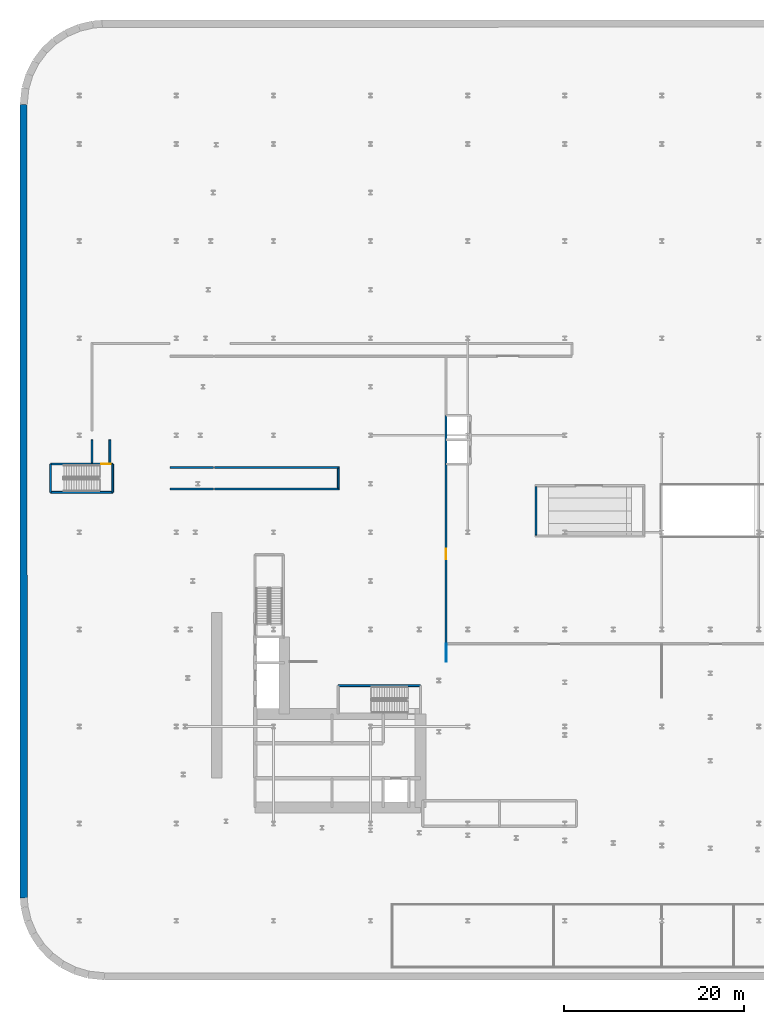
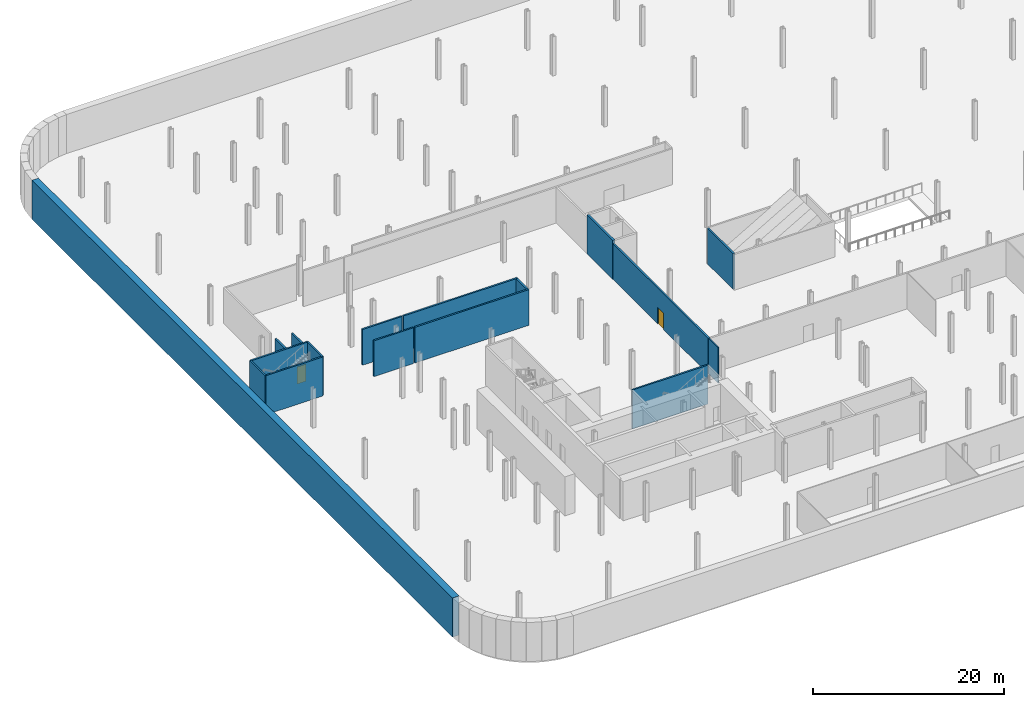
# One storey, part 10 of 19: 17 walls, 2 doors, 2 openings.
"""IFC4 building model written with IfcOpenShell, lengths in metres."""

from ifc_helpers import new_model, si_unit, direction, frame, frame_2d, origin, place, context, subcontext, project, spatial, rectangle, extrude, source, transform, mapped, material, layer, layer_set, type_object, element, fill, save


model = new_model("IFC4")

# Units and contexts
model_context = context("Model", 3, precision=1e-05, world=origin(), true_north=direction((0.0, 1.0)))
body_context = subcontext(model_context, "Body", "Model", "MODEL_VIEW")
ifc_project = project(units=[si_unit("LENGTHUNIT", "METRE"), si_unit("AREAUNIT", "SQUARE_METRE"), si_unit("VOLUMEUNIT", "CUBIC_METRE"), si_unit("PLANEANGLEUNIT", "RADIAN"), si_unit("MASSUNIT", "GRAM", prefix="KILO")], contexts=[model_context])

# Site, building, storey
site_placement = place(None, origin())
site = spatial("IfcSite", under=ifc_project, at=site_placement, CompositionType="ELEMENT")
building_placement = place(site_placement, origin())
building = spatial("IfcBuilding", under=site, at=building_placement, Name="Kheshtan School and Residences Tower", CompositionType="ELEMENT")
storey_placement = place(building_placement, frame((0.0, 0.0, -5.0)))
storey = spatial("IfcBuildingStorey", under=building, at=storey_placement, Name="B1", CompositionType="ELEMENT", Elevation=-5.0)

# Walls
ifc_material_1 = material(Name="Concrete C35/45", Category="concrete")
ifc_layer_1 = layer(ifc_material_1, 0.800048828125)
ifc_layer_set_1 = layer_set([ifc_layer_1], Name="Basement wall 800 Concrete C35/45")
wall_type_1 = type_object("IfcWallType", Name="Basement wall 800 Concrete C35/45", PredefinedType="SOLIDWALL", material=ifc_layer_set_1)
wall_1_placement = place(storey_placement, frame((9.010986328125, 15.739013671875, 0.0), z_axis=(0.0, 0.0, 1.0), x_axis=(-0.000124475473, 0.999999992253, 0.0)))
element("IfcWall", 1, at=wall_1_placement, inside=storey, type_object=wall_type_1, Name="Secant pile wall 40", PredefinedType="SOLIDWALL", context=body_context, shape_type="SweptSolid", body=[
    extrude(rectangle(XDim=88.260986328125, YDim=0.800048828125, at=frame_2d((44.13037109375, 0.0))), origin(), (0.0, 0.0, 1.0), 5.0),
])
ifc_material_2 = material(Name="Gypsum board on steel studs with fire boards", Category="steel")
ifc_layer_2 = layer(ifc_material_2, 0.199951171875)
ifc_layer_set_2 = layer_set([ifc_layer_2], Name="Corridor wall 200")
wall_type_2 = type_object("IfcWallType", Name="Corridor wall 200", PredefinedType="PARTITIONING", material=ifc_layer_set_2)
for number, where, z_axis, x_axis, name in (
    (2, (16.60009765625, 64.10009765625, 0.0), (0.0, 0.0, 1.0), (0.0, 1.0, 0.0), "Partition B1-001"),
    (3, (18.60009765625, 64.10009765625, 0.0), (0.0, 0.0, 1.0), (0.0, 1.0, 0.0), "Partition B1-004"),
):
    element("IfcWall", number, at=place(storey_placement, frame(where, z_axis=z_axis, x_axis=x_axis)), inside=storey, type_object=wall_type_2, Name=name, PredefinedType="PARTITIONING", context=body_context, shape_type="SweptSolid", body=[
        extrude(rectangle(XDim=2.599853515625, YDim=0.199951171875, at=frame_2d((1.2998046875, 0.0))), origin(), (0.0, 0.0, 1.0), 4.580078125),
    ])
for number, where, z_axis, x_axis, name in (
    (4, (25.300048828125, 61.22509765625, 0.0), (0.0, 0.0, 1.0), (1.0, 0.0, 0.0), "Partition B1-005"),
    (5, (25.300048828125, 63.625, 0.0), (0.0, 0.0, 1.0), (1.0, 0.0, 0.0), "Partition B1-006"),
):
    element("IfcWall", number, at=place(storey_placement, frame(where, z_axis=z_axis, x_axis=x_axis)), inside=storey, type_object=wall_type_2, Name=name, PredefinedType="PARTITIONING", context=body_context, shape_type="SweptSolid", body=[
        extrude(rectangle(XDim=4.800048828125, YDim=0.199951171875, at=frame_2d((2.39990234375, 0.0))), origin(), (0.0, 0.0, 1.0), 4.580078125),
    ])
for number, where, z_axis, x_axis, name in (
    (6, (30.25, 61.22509765625, 0.0), (0.0, 0.0, 1.0), (1.0, 0.0, 0.0), "Partition B1-008"),
    (7, (30.25, 63.625, 0.0), (0.0, 0.0, 1.0), (1.0, 0.0, 0.0), "Partition B1-009"),
):
    element("IfcWall", number, at=place(storey_placement, frame(where, z_axis=z_axis, x_axis=x_axis)), inside=storey, type_object=wall_type_2, Name=name, PredefinedType="PARTITIONING", context=body_context, shape_type="SweptSolid", body=[
        extrude(rectangle(XDim=13.85009765625, YDim=0.199951171875, at=frame_2d((6.925048828125, 0.0))), origin(), (0.0, 0.0, 1.0), 4.580078125),
    ])
wall_2_placement = place(storey_placement, frame((44.0, 61.324951171875, 0.0), z_axis=(0.0, 0.0, 1.0), x_axis=(0.0, 1.0, 0.0)))
element("IfcWall", 8, at=wall_2_placement, inside=storey, type_object=wall_type_2, Name="Partition B1-013", PredefinedType="PARTITIONING", context=body_context, shape_type="SweptSolid", body=[
    extrude(rectangle(XDim=2.199951171875, YDim=0.199951171875, at=frame_2d((1.10009765625, 0.0))), origin(), (0.0, 0.0, 1.0), 4.580078125),
])

# Wall, opening, door
wall_3_placement = place(storey_placement, frame((56.0, 44.0, 0.0), z_axis=(0.0, 0.0, 1.0), x_axis=(0.0, 1.0, 0.0)))
wall_3 = element("IfcWall", 9, at=wall_3_placement, inside=storey, type_object=wall_type_2, Name="Partition B1-018", PredefinedType="PARTITIONING", context=body_context, shape_type="SweptSolid", body=[
    extrude(rectangle(XDim=20.0, YDim=0.199951171875, at=frame_2d((10.0, 0.0))), origin(), (0.0, 0.0, 1.0), 4.580078125),
])
opening_1_placement = place(wall_3_placement, frame((9.39990234375, 0.0, 0.0)))
opening_1 = element("IfcOpeningElement", 10, at=opening_1_placement, cuts=wall_3, Name="Opening D1-007", PredefinedType="OPENING", context=body_context, shape_type="SweptSolid", body=[
    extrude(rectangle(XDim=1.199951171875, YDim=2.10009765625, at=frame_2d((0.60009765625, 1.050048828125))), frame((0.0, 0.10986328125, 0.0), z_axis=(0.0, -1.0, 0.0), x_axis=(1.0, 0.0, 0.0)), (0.0, 0.0, 1.0), 0.219970703125),
])
ifc_material_3 = material(Name="Steel-framed fire-resisting door leaf", Category="steel")
door_type_1 = type_object("IfcDoorType", Name="Fire door FD60 1200 x 2100", OperationType="SINGLE_SWING_LEFT", PredefinedType="DOOR", material=ifc_material_3)
shared_shape_1 = source(origin(), body_context, "Body", "SweptSolid", [
    extrude(rectangle(XDim=1.199951171875, YDim=2.10009765625, at=frame_2d((0.60009765625, 1.050048828125))), frame((0.0, 0.02490234375, 0.0), z_axis=(0.0, -1.0, 0.0), x_axis=(1.0, 0.0, 0.0)), (0.0, 0.0, 1.0), 0.050048828125),
])
door_1_placement = place(opening_1_placement, origin())
door_1 = element("IfcDoor", 11, at=door_1_placement, inside=storey, type_object=door_type_1, Name="Door D1-007", OperationType="SINGLE_SWING_RIGHT", OverallHeight=2.10009765625, OverallWidth=1.199951171875, PredefinedType="DOOR", context=body_context, shape_type="MappedRepresentation", body=[
    mapped(shared_shape_1, transform((0.0, 0.0, 0.0), x_axis=(1.0, 0.0, 0.0), y_axis=(0.0, 1.0, 0.0), z_axis=(0.0, 0.0, 1.0), scale=1.0)),
])
fill(opening_1, door_1)

# Walls
wall_4_placement = place(storey_placement, frame((66.0, 56.10009765625, 0.0), z_axis=(0.0, 0.0, 1.0), x_axis=(0.0, 1.0, 0.0)))
element("IfcWall", 12, at=wall_4_placement, inside=storey, type_object=wall_type_2, Name="Partition B1-023", PredefinedType="PARTITIONING", context=body_context, shape_type="SweptSolid", body=[
    extrude(rectangle(XDim=5.39990234375, YDim=0.199951171875, at=frame_2d((2.699951171875, 0.0))), origin(), (0.0, 0.0, 1.0), 4.580078125),
])
ifc_material_4 = material(Name="Gypsum board on steel studs", Category="steel")
ifc_layer_3 = layer(ifc_material_4, 0.10009765625)
ifc_layer_set_3 = layer_set([ifc_layer_3], Name="Gypsum partition 100")
wall_type_3 = type_object("IfcWallType", Name="Gypsum partition 100", PredefinedType="PARTITIONING", material=ifc_layer_set_3)
wall_5_placement = place(storey_placement, frame((56.0, 42.0, 0.0), z_axis=(0.0, 0.0, 1.0), x_axis=(0.0, 1.0, 0.0)))
element("IfcWall", 13, at=wall_5_placement, inside=storey, type_object=wall_type_3, Name="Partition B1-017", PredefinedType="PARTITIONING", context=body_context, shape_type="SweptSolid", body=[
    extrude(rectangle(XDim=2.0, YDim=0.10009765625, at=frame_2d((1.0, 0.0))), origin(), (0.0, 0.0, 1.0), 4.580078125),
])
ifc_material_5 = material(Name="Fire-board shaft wall system")
ifc_layer_4 = layer(ifc_material_5, 0.25)
ifc_layer_set_4 = layer_set([ifc_layer_4], Name="Shaft lining wall 250")
wall_type_4 = type_object("IfcWallType", Name="Shaft lining wall 250", PredefinedType="PARTITIONING", material=ifc_layer_set_4)
wall_6_placement = place(storey_placement, frame((56.0, 64.0, 0.0), z_axis=(0.0, 0.0, 1.0), x_axis=(0.0, 1.0, 0.0)))
element("IfcWall", 14, at=wall_6_placement, inside=storey, type_object=wall_type_4, Name="Shaft lining wall", PredefinedType="PARTITIONING", context=body_context, shape_type="SweptSolid", body=[
    extrude(rectangle(XDim=5.39990234375, YDim=0.25, at=frame_2d((2.699951171875, 0.0))), origin(), (0.0, 0.0, 1.0), 5.0),
])
ifc_material_6 = material(Name="Concrete C40/50", Category="concrete")
ifc_layer_5 = layer(ifc_material_6, 0.199951171875)
ifc_layer_set_5 = layer_set([ifc_layer_5], Name="Stair enclosure wall 200 Concrete C40/50")
wall_type_5 = type_object("IfcWallType", Name="Stair enclosure wall 200 Concrete C40/50", PredefinedType="SHEAR", material=ifc_layer_set_5)
wall_7_placement = place(storey_placement, frame((43.989990234375, 39.35009765625, 0.0), z_axis=(0.0, 0.0, 1.0), x_axis=(1.0, 0.0, 0.0)))
element("IfcWall", 15, at=wall_7_placement, inside=storey, type_object=wall_type_5, Name="Stair enclosure wall ST1", PredefinedType="SHEAR", context=body_context, shape_type="SweptSolid", body=[
    extrude(rectangle(XDim=9.159912109375, YDim=0.199951171875, at=frame_2d((4.580078125, 0.0))), origin(), (0.0, 0.0, 1.0), 5.0),
])
wall_8_placement = place(storey_placement, frame((12.0, 60.85009765625, 0.0), z_axis=(0.0, 0.0, 1.0), x_axis=(1.0, 0.0, 0.0)))
element("IfcWall", 16, at=wall_8_placement, inside=storey, type_object=wall_type_5, Name="Stair enclosure wall", PredefinedType="SHEAR", context=body_context, shape_type="SweptSolid", body=[
    extrude(rectangle(XDim=6.919921875, YDim=0.199951171875, at=frame_2d((3.4599609375, 0.0))), origin(), (0.0, 0.0, 1.0), 5.0),
])

# Wall, opening, door
wall_9_placement = place(storey_placement, frame((12.0, 64.0, 0.0), z_axis=(0.0, 0.0, 1.0), x_axis=(1.0, 0.0, 0.0)))
wall_9 = element("IfcWall", 17, at=wall_9_placement, inside=storey, type_object=wall_type_5, Name="Stair enclosure wall", PredefinedType="SHEAR", context=body_context, shape_type="SweptSolid", body=[
    extrude(rectangle(XDim=6.919921875, YDim=0.199951171875, at=frame_2d((3.4599609375, 0.0))), origin(), (0.0, 0.0, 1.0), 5.0),
])
opening_2_placement = place(wall_9_placement, frame((5.6201171875, 0.0, 0.0)))
opening_2 = element("IfcOpeningElement", 18, at=opening_2_placement, cuts=wall_9, Name="Opening SD90", PredefinedType="OPENING", context=body_context, shape_type="SweptSolid", body=[
    extrude(rectangle(XDim=1.10009765625, YDim=2.199951171875, at=frame_2d((0.550048828125, 1.10009765625))), frame((0.0, 0.10986328125, 0.0), z_axis=(0.0, -1.0, 0.0), x_axis=(1.0, 0.0, 0.0)), (0.0, 0.0, 1.0), 0.219970703125),
])
ifc_material_7 = material(Name="Steel door leaf, galvanised", Category="steel")
door_type_2 = type_object("IfcDoorType", Name="Stair door 1100 steel 90 min", OperationType="SINGLE_SWING_LEFT", PredefinedType="DOOR", material=ifc_material_7)
shared_shape_2 = source(origin(), body_context, "Body", "SweptSolid", [
    extrude(rectangle(XDim=1.10009765625, YDim=2.199951171875, at=frame_2d((0.550048828125, 1.10009765625))), frame((0.0, 0.02490234375, 0.0), z_axis=(0.0, -1.0, 0.0), x_axis=(1.0, 0.0, 0.0)), (0.0, 0.0, 1.0), 0.050048828125),
])
door_2_placement = place(opening_2_placement, origin())
door_2 = element("IfcDoor", 19, at=door_2_placement, inside=storey, type_object=door_type_2, Name="Stair door", OperationType="SINGLE_SWING_LEFT", OverallHeight=2.199951171875, OverallWidth=1.10009765625, PredefinedType="DOOR", context=body_context, shape_type="MappedRepresentation", body=[
    mapped(shared_shape_2, transform((0.0, 0.0, 0.0), x_axis=(1.0, 0.0, 0.0), y_axis=(0.0, 1.0, 0.0), z_axis=(0.0, 0.0, 1.0), scale=1.0)),
])
fill(opening_2, door_2)

# Walls
for number, where, z_axis, x_axis, name in (
    (20, (12.0, 60.85009765625, 0.0), (0.0, 0.0, 1.0), (0.0, 1.0, 0.0), "Stair enclosure wall"),
    (21, (18.919921875, 60.85009765625, 0.0), (0.0, 0.0, 1.0), (0.0, 1.0, 0.0), "Stair enclosure wall"),
):
    element("IfcWall", number, at=place(storey_placement, frame(where, z_axis=z_axis, x_axis=x_axis)), inside=storey, type_object=wall_type_5, Name=name, PredefinedType="SHEAR", context=body_context, shape_type="SweptSolid", body=[
        extrude(rectangle(XDim=3.14990234375, YDim=0.199951171875, at=frame_2d((1.574951171875, 0.0))), origin(), (0.0, 0.0, 1.0), 5.0),
    ])

save(model, "model.ifc")
